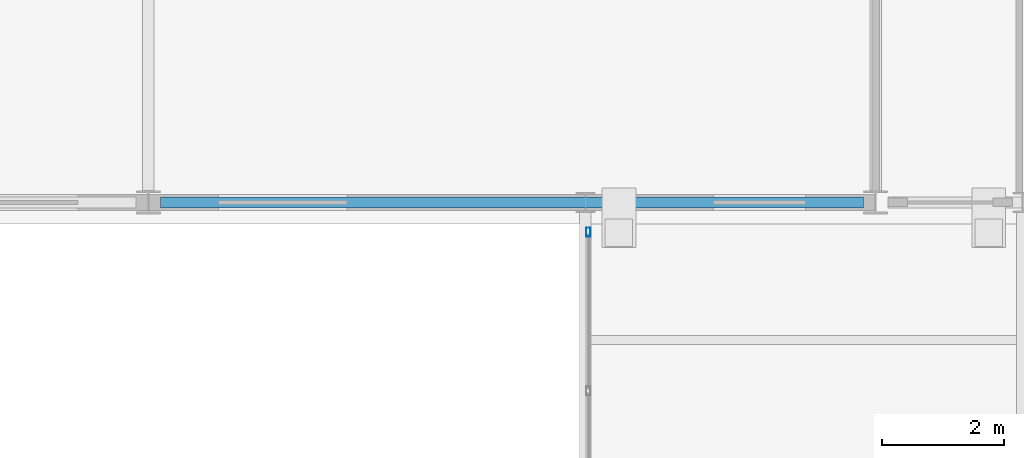
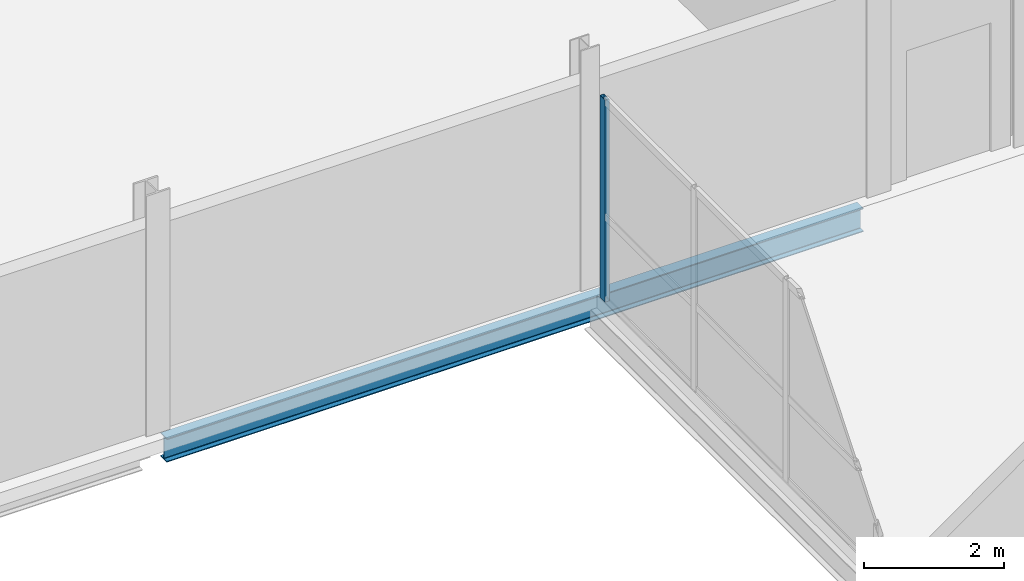
# One storey, part 18 of 60: 1 beam, 1 member, 1 element without a shape of its own.
"""IFC4 building model written with IfcOpenShell, lengths in metres."""

from ifc_helpers import new_model, si_unit, direction, frame, origin, origin_2d, place, context, subcontext, project, spatial, hollow_rectangle, i_section, extrude, material, layer, layer_set, material_profile, profile_set, type_object, element, aggregate, save


model = new_model("IFC4")

# Units and contexts
model_context = context("Model", 3, precision=1e-05, world=origin(), true_north=direction((0.0, 1.0)))
body_context = subcontext(model_context, "Body", "Model", "MODEL_VIEW")
ifc_project = project(units=[si_unit("LENGTHUNIT", "METRE"), si_unit("AREAUNIT", "SQUARE_METRE"), si_unit("VOLUMEUNIT", "CUBIC_METRE"), si_unit("PLANEANGLEUNIT", "RADIAN"), si_unit("MASSUNIT", "GRAM", prefix="KILO")], contexts=[model_context])

# Site, building, storey
site_placement = place(None, origin())
site = spatial("IfcSite", under=ifc_project, at=site_placement, CompositionType="ELEMENT")
building_placement = place(site_placement, origin())
building = spatial("IfcBuilding", under=site, at=building_placement, Name="Quillay Park Conservatory", CompositionType="ELEMENT")
storey_placement = place(building_placement, frame((0.0, 0.0, 9.89990234375)))
storey = spatial("IfcBuildingStorey", under=building, at=storey_placement, Name="L02", CompositionType="ELEMENT", Elevation=9.89990234375)

# Curtain wall, member
ifc_material_1 = material(Name="Thermally Broken Anodised Aluminium 6063-T6", Category="aluminium")
ifc_layer = layer(ifc_material_1, 0.155029296875)
ifc_layer_set = layer_set([ifc_layer], Name="UNITISED CURTAIN WALL BRIDGE (Thermally Broken Anodised Aluminium 6063-T6)")
curtain_wall_type = type_object("IfcCurtainWallType", Name="UNITISED CURTAIN WALL BRIDGE", PredefinedType="USERDEFINED", material=ifc_layer_set)
curtain_wall_placement = place(storey_placement, origin())
curtain_wall = element("IfcCurtainWall", 1, at=curtain_wall_placement, inside=storey, type_object=curtain_wall_type, Name="L02 Unitised Curtain Wall 217", ObjectType="UNITISED CURTAIN WALL", PredefinedType="USERDEFINED")
ifc_material_2 = material(Name="Thermally Broken Anodised Aluminium 6063-T6", Category="aluminium")
ifc_material_profile_1 = material_profile(ifc_material_2, hollow_rectangle(XDim=0.070068359375, YDim=0.14990234375, WallThickness=0.00341796875, at=origin_2d()), Name="AL70x150x3.5")
ifc_profile_set_1 = profile_set([ifc_material_profile_1], Name="Thermally Broken Anodised Aluminium 6063-T6")
member_type = type_object("IfcMemberType", Name="CURTAIN WALL MULLION 70 X150", PredefinedType="MULLION", material=ifc_profile_set_1)
member_placement = place(storey_placement, frame((15.050048828125, 62.56494140625, 0.0), z_axis=(0.0, 0.0, 1.0), x_axis=(-1.0, 0.0, 0.0)))
member = element("IfcMember", 2, at=member_placement, type_object=member_type, Name="CW-B1 mullion 4", PredefinedType="MULLION", context=body_context, shape_type="SweptSolid", body=[
    extrude(hollow_rectangle(XDim=0.070068359375, YDim=0.14990234375, WallThickness=0.00341796875, at=origin_2d()), origin(), (0.0, 0.0, 1.0), 3.524169921875),
])
aggregate(curtain_wall, [member])

# Beam
ifc_material_3 = material(Name="Steel ASTM A992 Grade 50", Category="steel")
ifc_material_profile_2 = material_profile(ifc_material_3, i_section(OverallWidth=0.179931640625, OverallDepth=0.4130859375, WebThickness=0.009765625, FlangeThickness=0.01611328125, FilletRadius=0.011962890625, at=origin_2d()), Name="W410x74")
ifc_profile_set_2 = profile_set([ifc_material_profile_2], Name="Steel ASTM A992 Grade 50")
beam_type = type_object("IfcBeamType", Name="PERIMETER SPANDREL BEAM W410 X74", PredefinedType="SPANDREL", material=ifc_profile_set_2)
beam_placement = place(storey_placement, frame((8.049560546875, 63.050048828125, -0.4365234375), z_axis=(1.0, 0.0, 0.0), x_axis=(0.0, 1.0, 0.0)))
element("IfcBeam", 3, at=beam_placement, inside=storey, type_object=beam_type, Name="L02 beam BM-SP-0177", PredefinedType="SPANDREL", context=body_context, shape_type="SweptSolid", body=[
    extrude(i_section(OverallWidth=0.179931640625, OverallDepth=0.4130859375, WebThickness=0.009765625, FlangeThickness=0.01611328125, FilletRadius=0.011962890625, at=origin_2d()), origin(), (0.0, 0.0, 1.0), 11.5009765625),
])

save(model, "model.ifc")
